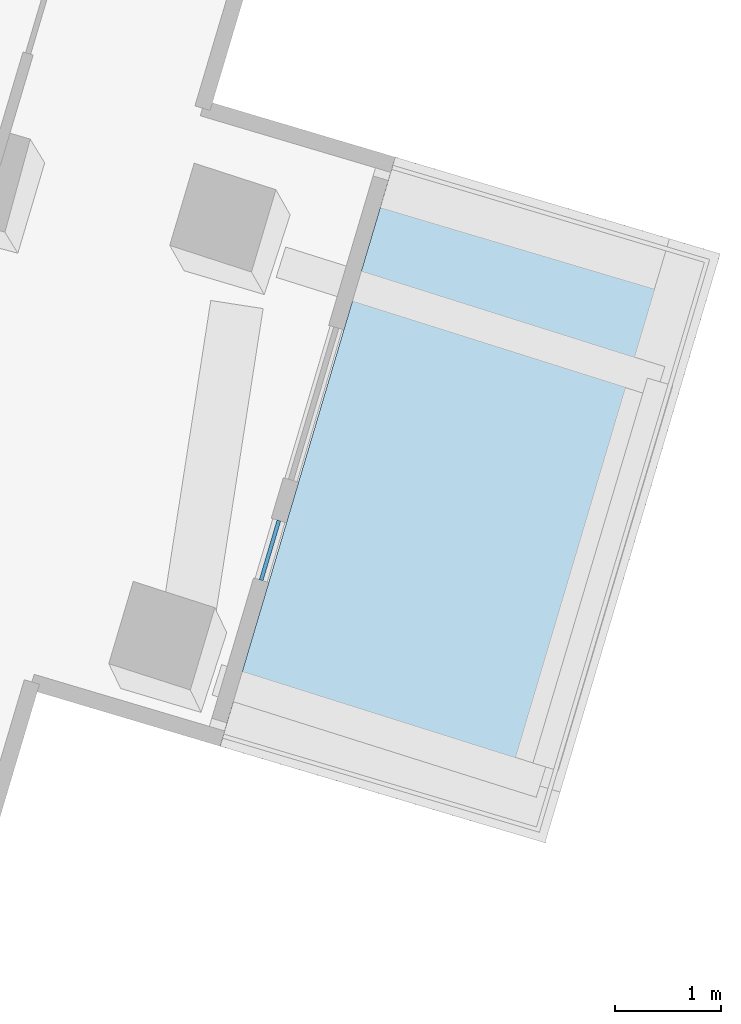
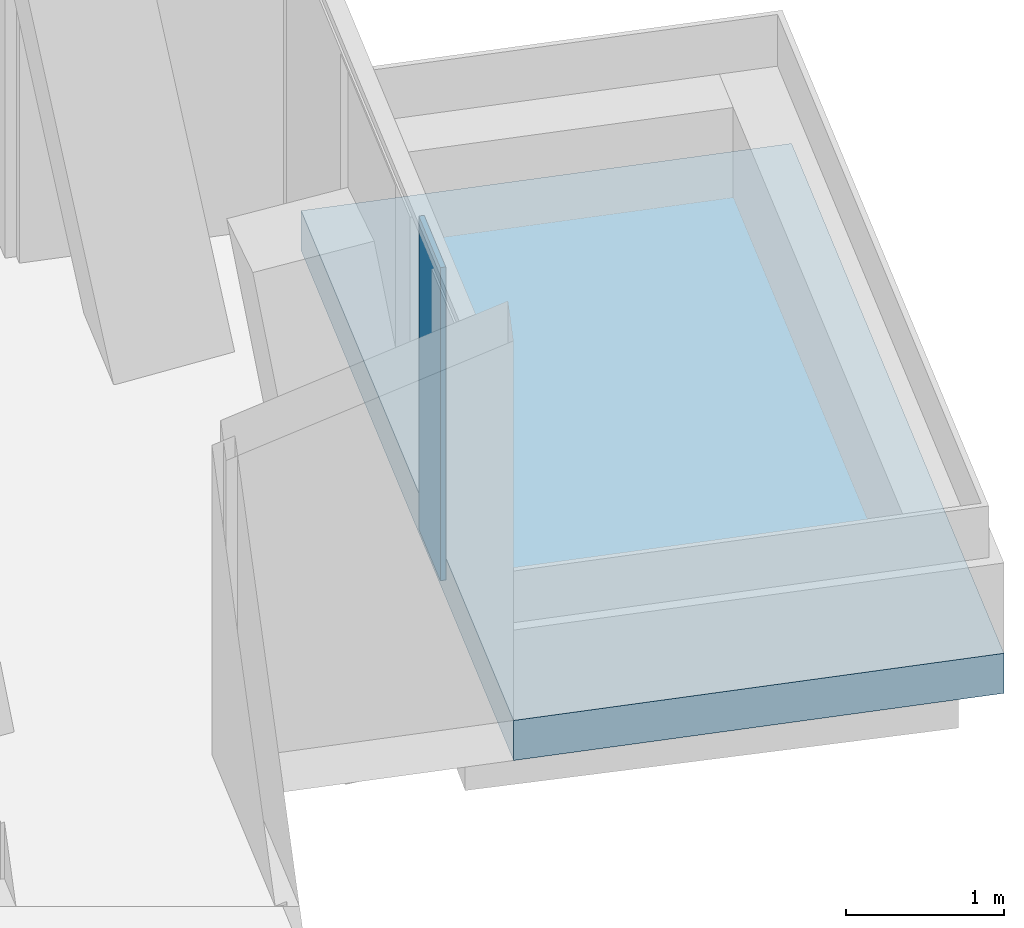
# One storey, part 17 of 27: 1 plate, 1 slab, 1 element without a shape of its own.
"""IFC4 building model written with IfcOpenShell, lengths in metres."""

from ifc_helpers import new_model, si_unit, direction, frame, origin, origin_2d, place, context, subcontext, project, spatial, polyline, rectangle, outline, extrude, material, layer, layer_set, type_object, element, aggregate, save


model = new_model("IFC4")

# Units and contexts
model_context = context("Model", 3, precision=1e-05, world=origin(), true_north=direction((0.0, 1.0)))
body_context = subcontext(model_context, "Body", "Model", "MODEL_VIEW")
ifc_project = project(units=[si_unit("LENGTHUNIT", "METRE"), si_unit("AREAUNIT", "SQUARE_METRE"), si_unit("VOLUMEUNIT", "CUBIC_METRE"), si_unit("PLANEANGLEUNIT", "RADIAN"), si_unit("MASSUNIT", "GRAM", prefix="KILO")], contexts=[model_context])

# Site, building, storey
site_placement = place(None, origin())
site = spatial("IfcSite", under=ifc_project, at=site_placement, CompositionType="ELEMENT")
building_placement = place(site_placement, origin())
building = spatial("IfcBuilding", under=site, at=building_placement, Name="Verdalira Terraces Hotel", CompositionType="ELEMENT")
storey_placement = place(building_placement, frame((0.0, 0.0, 89.5)))
storey = spatial("IfcBuildingStorey", under=building, at=storey_placement, Name="L20", CompositionType="ELEMENT", Elevation=89.5)

# Slab
ifc_material_1 = material(Name="Precast concrete C40/50", Category="concrete")
ifc_layer_1 = layer(ifc_material_1, 0.31005859375)
ifc_layer_set_1 = layer_set([ifc_layer_1], Name="Balcony deck 310")
slab_type = type_object("IfcSlabType", Name="Balcony deck 310", PredefinedType="FLOOR", material=ifc_layer_set_1)
slab_placement = place(storey_placement, frame((0.0, 0.0, -0.310059)))
element("IfcSlab", 1, at=slab_placement, inside=storey, type_object=slab_type, Name="Balcony deck", PredefinedType="FLOOR", context=body_context, shape_type="SweptSolid", body=[
    extrude(outline(polyline([(37.176758, -8.029053), (34.109375, -7.116943), (32.456299, -12.676514), (35.523682, -13.588623), (37.176758, -8.029053)])), origin(), (0.0, 0.0, 1.0), 0.310059),
])

# Curtain wall, plate
ifc_material_2 = material(Name="Clear glass", Category="glass")
ifc_layer_2 = layer(ifc_material_2, 0.14990234375)
ifc_layer_set_2 = layer_set([ifc_layer_2], Name="CW3 curtain wall")
curtain_wall_type = type_object("IfcCurtainWallType", Name="CW3 curtain wall", PredefinedType="NOTDEFINED", material=ifc_layer_set_2)
curtain_wall_placement = place(storey_placement, origin())
curtain_wall = element("IfcCurtainWall", 2, at=curtain_wall_placement, inside=storey, type_object=curtain_wall_type, Name="CW3 curtain wall L20 edge 33", PredefinedType="NOTDEFINED")
ifc_material_3 = material(Name="Clear glass", Category="glass")
ifc_layer_3 = layer(ifc_material_3, 0.035888671875)
ifc_layer_set_3 = layer_set([ifc_layer_3], Name="CW3 glass unit 36")
plate_type = type_object("IfcPlateType", Name="CW3 glass unit 36", PredefinedType="CURTAIN_PANEL", material=ifc_layer_set_3)
plate_placement = place(storey_placement, frame((32.927734, -10.827881, 0.0), z_axis=(0.0, 0.0, 1.0), x_axis=(0.285019262, 0.958521789, 0.0)))
plate = element("IfcPlate", 3, at=plate_placement, type_object=plate_type, Name="CW3 glass unit", PredefinedType="CURTAIN_PANEL", context=body_context, shape_type="SweptSolid", body=[
    extrude(rectangle(XDim=0.587646, YDim=0.035889, at=origin_2d()), origin(), (0.0, 0.0, 1.0), 2.425049),
])
aggregate(curtain_wall, [plate])

save(model, "model.ifc")
